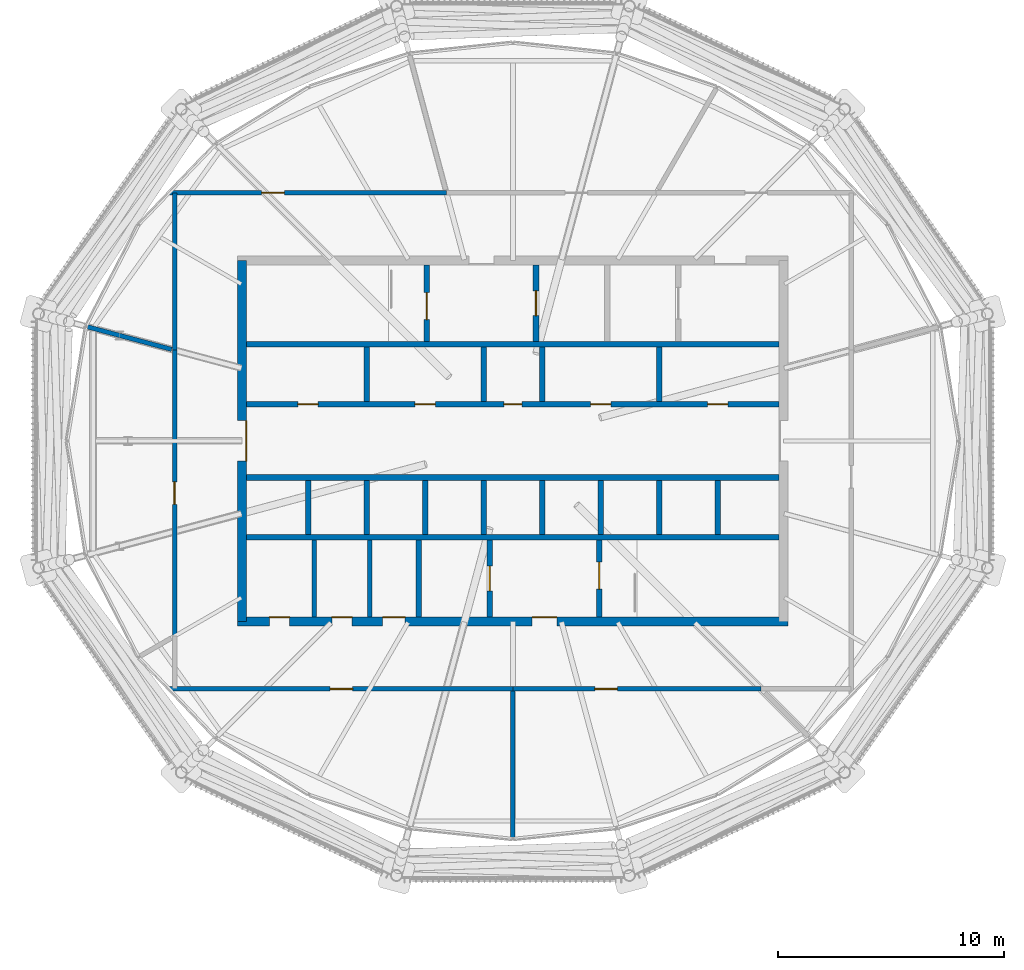
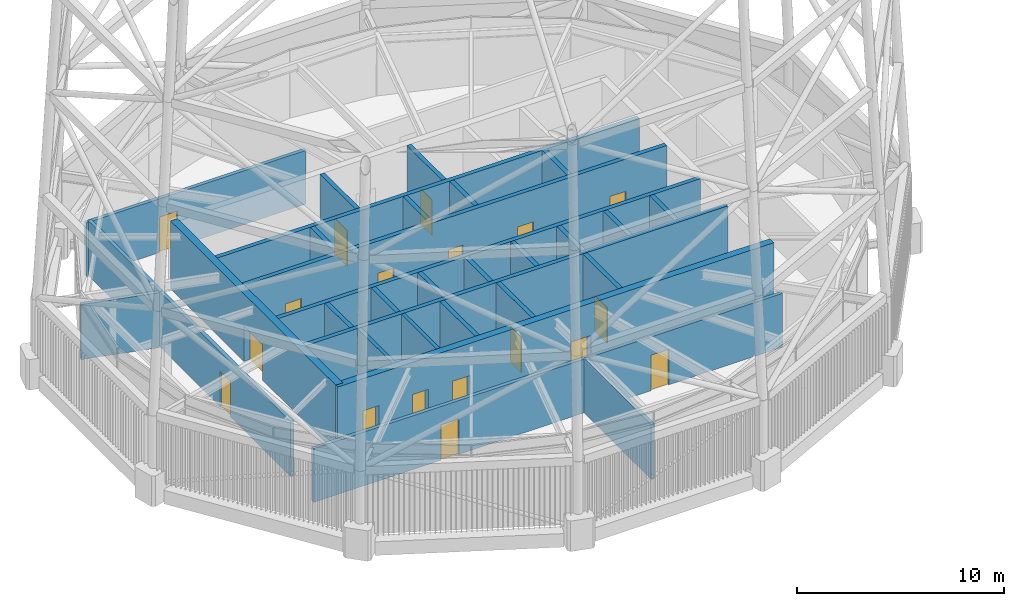
# One storey, part 63 of 71: 32 walls, 18 doors, 18 openings.
"""IFC4 building model written with IfcOpenShell, lengths in metres."""

from ifc_helpers import new_model, si_unit, direction, frame, frame_2d, origin, place, context, subcontext, project, spatial, rectangle, extrude, material, layer, layer_set, type_object, element, fill, save


model = new_model("IFC4")

# Units and contexts
model_context = context("Model", 3, precision=1e-05, world=origin(), true_north=direction((0.0, 1.0)))
body_context = subcontext(model_context, "Body", "Model", "MODEL_VIEW")
ifc_project = project(units=[si_unit("LENGTHUNIT", "METRE"), si_unit("AREAUNIT", "SQUARE_METRE"), si_unit("VOLUMEUNIT", "CUBIC_METRE"), si_unit("PLANEANGLEUNIT", "RADIAN"), si_unit("MASSUNIT", "GRAM", prefix="KILO")], contexts=[model_context])

# Site, building, storey
site_placement = place(None, origin())
site = spatial("IfcSite", under=ifc_project, at=site_placement, CompositionType="ELEMENT")
building_placement = place(site_placement, origin())
building = spatial("IfcBuilding", under=site, at=building_placement, Name="Rimbun Link Towers", CompositionType="ELEMENT")
storey_placement = place(building_placement, frame((0.0, 0.0, 267.60009765625)))
storey = spatial("IfcBuildingStorey", under=building, at=storey_placement, Name="L65", CompositionType="ELEMENT", Elevation=267.60009765625)

# Walls
ifc_material_1 = material(Name="Masonry blockwork", Category="masonry")
ifc_layer_1 = layer(ifc_material_1, 0.199951171875)
ifc_layer_set_1 = layer_set([ifc_layer_1], Name="Core partition 200")
wall_type_1 = type_object("IfcWallType", Name="Core partition 200", PredefinedType="PARTITIONING", material=ifc_layer_set_1)
for number, where, z_axis, x_axis, name in (
    (1, (-40.550048828125, -4.39990234375, 0.0), (0.0, 0.0, 1.0), (0.0, -1.0, 0.0), "L65 T1 core wall C1"),
    (2, (-38.10009765625, -4.39990234375, 0.0), (0.0, 0.0, 1.0), (0.0, -1.0, 0.0), "L65 T1 core wall C2"),
):
    element("IfcWall", number, at=place(storey_placement, frame(where, z_axis=z_axis, x_axis=x_axis)), inside=storey, type_object=wall_type_1, Name=name, PredefinedType="PARTITIONING", context=body_context, shape_type="SweptSolid", body=[
        extrude(rectangle(XDim=3.400146484375, YDim=0.199951171875, at=frame_2d((1.7001953125, 0.0))), origin(), (0.0, 0.0, 1.0), 4.0),
    ])

# Wall, openings, doors
ifc_material_2 = material(Name="Concrete C60/75", Category="concrete")
ifc_layer_2 = layer(ifc_material_2, 0.39990234375)
ifc_layer_set_2 = layer_set([ifc_layer_2], Name="Core shear wall 400")
wall_type_2 = type_object("IfcWallType", Name="Core shear wall 400", PredefinedType="SHEAR", material=ifc_layer_set_2)
wall_1_placement = place(storey_placement, frame((-43.949951171875, -8.0, 0.0), z_axis=(0.0, 0.0, 1.0), x_axis=(1.0, 0.0, 0.0)))
wall_1 = element("IfcWall", 3, at=wall_1_placement, inside=storey, type_object=wall_type_2, Name="L65 T1 core wall S", PredefinedType="SHEAR", context=body_context, shape_type="SweptSolid", body=[
    extrude(rectangle(XDim=24.39990234375, YDim=0.39990234375, at=frame_2d((12.199951171875, 0.0))), origin(), (0.0, 0.0, 1.0), 4.0),
])
opening_1_placement = place(wall_1_placement, frame((13.050048828125, 0.0, 0.0)))
opening_1 = element("IfcOpeningElement", 4, at=opening_1_placement, cuts=wall_1, Name="Opening C1DCF01S", PredefinedType="OPENING", context=body_context, shape_type="SweptSolid", body=[
    extrude(rectangle(XDim=1.10009765625, YDim=2.10009765625, at=frame_2d((0.550048828125, 1.050048828125))), frame((0.0, 0.2099609375, 0.0), z_axis=(0.0, -1.0, 0.0), x_axis=(1.0, 0.0, 0.0)), (0.0, 0.0, 1.0), 0.419921875),
])
opening_2_placement = place(wall_1_placement, frame((1.39990234375, 0.0, 0.0)))
opening_2 = element("IfcOpeningElement", 5, at=opening_2_placement, cuts=wall_1, Name="Opening C1DWC02S", PredefinedType="OPENING", context=body_context, shape_type="SweptSolid", body=[
    extrude(rectangle(XDim=0.89990234375, YDim=2.10009765625, at=frame_2d((0.449951171875, 1.050048828125))), frame((0.0, 0.2099609375, 0.0), z_axis=(0.0, -1.0, 0.0), x_axis=(1.0, 0.0, 0.0)), (0.0, 0.0, 1.0), 0.419921875),
])
opening_3_placement = place(wall_1_placement, frame((4.175048828125, 0.0, 0.0)))
opening_3 = element("IfcOpeningElement", 6, at=opening_3_placement, cuts=wall_1, Name="Opening C1DWC03S", PredefinedType="OPENING", context=body_context, shape_type="SweptSolid", body=[
    extrude(rectangle(XDim=0.89990234375, YDim=2.10009765625, at=frame_2d((0.449951171875, 1.050048828125))), frame((0.0, 0.2099609375, 0.0), z_axis=(0.0, -1.0, 0.0), x_axis=(1.0, 0.0, 0.0)), (0.0, 0.0, 1.0), 0.419921875),
])
opening_4_placement = place(wall_1_placement, frame((6.425048828125, 0.0, 0.0)))
opening_4 = element("IfcOpeningElement", 7, at=opening_4_placement, cuts=wall_1, Name="Opening C1DAW04S", PredefinedType="OPENING", context=body_context, shape_type="SweptSolid", body=[
    extrude(rectangle(XDim=1.0, YDim=2.10009765625, at=frame_2d((0.5, 1.050048828125))), frame((0.0, 0.2099609375, 0.0), z_axis=(0.0, -1.0, 0.0), x_axis=(1.0, 0.0, 0.0)), (0.0, 0.0, 1.0), 0.419921875),
])
ifc_material_3 = material(Name="Timber", Category="wood")
door_type_1 = type_object("IfcDoorType", Name="Accessible WC door", OperationType="SINGLE_SWING_LEFT", PredefinedType="DOOR", material=ifc_material_3)
door_1_placement = place(opening_4_placement, origin())
door_1 = element("IfcDoor", 8, at=door_1_placement, inside=storey, type_object=door_type_1, Name="L65 T1 accessible wc door", OperationType="SINGLE_SWING_RIGHT", OverallHeight=2.10009765625, OverallWidth=1.0, PredefinedType="DOOR", context=body_context, shape_type="SweptSolid", body=[
    extrude(rectangle(XDim=1.0, YDim=2.10009765625, at=frame_2d((0.5, 1.050048828125))), frame((0.0, 0.2001953125, 0.0), z_axis=(0.0, -1.0, 0.0), x_axis=(1.0, 0.0, 0.0)), (0.0, 0.0, 1.0), 0.050048828125),
])
fill(opening_4, door_1)
ifc_material_4 = material(Name="Steel fire door set", Category="steel")
door_type_2 = type_object("IfcDoorType", Name="Core fire door single", OperationType="SINGLE_SWING_LEFT", PredefinedType="DOOR", material=ifc_material_4)
door_2_placement = place(opening_1_placement, origin())
door_2 = element("IfcDoor", 9, at=door_2_placement, inside=storey, type_object=door_type_2, Name="L65 T1 firefighting lobby s door", OperationType="SINGLE_SWING_RIGHT", OverallHeight=2.10009765625, OverallWidth=1.10009765625, PredefinedType="DOOR", context=body_context, shape_type="SweptSolid", body=[
    extrude(rectangle(XDim=1.10009765625, YDim=2.10009765625, at=frame_2d((0.550048828125, 1.050048828125))), frame((0.0, 0.2001953125, 0.0), z_axis=(0.0, -1.0, 0.0), x_axis=(1.0, 0.0, 0.0)), (0.0, 0.0, 1.0), 0.050048828125),
])
fill(opening_1, door_2)
ifc_material_5 = material(Name="Timber", Category="wood")
door_type_3 = type_object("IfcDoorType", Name="WC door", OperationType="SINGLE_SWING_LEFT", PredefinedType="DOOR", material=ifc_material_5)
door_3_placement = place(opening_2_placement, origin())
door_3 = element("IfcDoor", 10, at=door_3_placement, inside=storey, type_object=door_type_3, Name="L65 T1 male wc door", OperationType="SINGLE_SWING_RIGHT", OverallHeight=2.10009765625, OverallWidth=0.89990234375, PredefinedType="DOOR", context=body_context, shape_type="SweptSolid", body=[
    extrude(rectangle(XDim=0.89990234375, YDim=2.10009765625, at=frame_2d((0.449951171875, 1.050048828125))), frame((0.0, 0.2001953125, 0.0), z_axis=(0.0, -1.0, 0.0), x_axis=(1.0, 0.0, 0.0)), (0.0, 0.0, 1.0), 0.050048828125),
])
fill(opening_2, door_3)
door_4_placement = place(opening_3_placement, origin())
door_4 = element("IfcDoor", 11, at=door_4_placement, inside=storey, type_object=door_type_3, Name="L65 T1 female wc door", OperationType="SINGLE_SWING_LEFT", OverallHeight=2.10009765625, OverallWidth=0.89990234375, PredefinedType="DOOR", context=body_context, shape_type="SweptSolid", body=[
    extrude(rectangle(XDim=0.89990234375, YDim=2.10009765625, at=frame_2d((0.449951171875, 1.050048828125))), frame((0.0, 0.2001953125, 0.0), z_axis=(0.0, -1.0, 0.0), x_axis=(1.0, 0.0, 0.0)), (0.0, 0.0, 1.0), 0.050048828125),
])
fill(opening_3, door_4)

# Wall, opening, door
wall_2_placement = place(storey_placement, frame((-43.75, -8.0, 0.0), z_axis=(0.0, 0.0, 1.0), x_axis=(0.0, 1.0, 0.0)))
wall_2 = element("IfcWall", 12, at=wall_2_placement, inside=storey, type_object=wall_type_2, Name="L65 T1 core wall W", PredefinedType="SHEAR", context=body_context, shape_type="SweptSolid", body=[
    extrude(rectangle(XDim=16.0, YDim=0.39990234375, at=frame_2d((8.0, 0.0))), origin(), (0.0, 0.0, 1.0), 4.0),
])
opening_5_placement = place(wall_2_placement, frame((7.10009765625, 0.0, 0.0)))
opening_5 = element("IfcOpeningElement", 13, at=opening_5_placement, cuts=wall_2, Name="Opening C1DCL01W", PredefinedType="OPENING", context=body_context, shape_type="SweptSolid", body=[
    extrude(rectangle(XDim=1.800048828125, YDim=2.10009765625, at=frame_2d((0.89990234375, 1.050048828125))), frame((0.0, 0.2099609375, 0.0), z_axis=(0.0, -1.0, 0.0), x_axis=(1.0, 0.0, 0.0)), (0.0, 0.0, 1.0), 0.419921875),
])
ifc_material_6 = material(Name="Steel fire door set", Category="steel")
door_type_4 = type_object("IfcDoorType", Name="Core lobby door double", OperationType="DOUBLE_DOOR_SINGLE_SWING", PredefinedType="DOOR", material=ifc_material_6)
door_5_placement = place(opening_5_placement, origin())
door_5 = element("IfcDoor", 14, at=door_5_placement, inside=storey, type_object=door_type_4, Name="L65 T1 lift lobby door", OperationType="DOUBLE_DOOR_SINGLE_SWING", OverallHeight=2.10009765625, OverallWidth=1.800048828125, PredefinedType="DOOR", context=body_context, shape_type="SweptSolid", body=[
    extrude(rectangle(XDim=1.800048828125, YDim=2.10009765625, at=frame_2d((0.89990234375, 1.050048828125))), frame((0.0, -0.14990234375, 0.0), z_axis=(0.0, -1.0, 0.0), x_axis=(1.0, 0.0, 0.0)), (0.0, 0.0, 1.0), 0.050048828125),
])
fill(opening_5, door_5)

ifc_material_7 = material(Name="Concrete blockwork", Category="masonry")
ifc_layer_3 = layer(ifc_material_7, 0.199951171875)
ifc_layer_set_3 = layer_set([ifc_layer_3], Name="Fire partition 200 blockwork")
wall_type_3 = type_object("IfcWallType", Name="Fire partition 200 blockwork", PredefinedType="PARTITIONING", material=ifc_layer_set_3)
wall_3_placement = place(storey_placement, frame((-46.963134765625, -11.0, 0.0), z_axis=(0.0, 0.0, 1.0), x_axis=(1.0, 0.0, 0.0)))
wall_3 = element("IfcWall", 15, at=wall_3_placement, inside=storey, type_object=wall_type_3, Name="TW/PW/L65/002", PredefinedType="PARTITIONING", context=body_context, shape_type="SweptSolid", body=[
    extrude(rectangle(XDim=15.213134765625, YDim=0.199951171875, at=frame_2d((7.6064453125, 0.0))), origin(), (0.0, 0.0, 1.0), 3.177001953125),
])
opening_6_placement = place(wall_3_placement, frame((7.10693359375, 0.0, 0.0)))
opening_6 = element("IfcOpeningElement", 16, at=opening_6_placement, cuts=wall_3, Name="Opening TW D65.01", PredefinedType="OPENING", context=body_context, shape_type="SweptSolid", body=[
    extrude(rectangle(XDim=1.0, YDim=2.10009765625, at=frame_2d((0.5, 1.050048828125))), frame((0.0, 0.10986328125, 0.0), z_axis=(0.0, -1.0, 0.0), x_axis=(1.0, 0.0, 0.0)), (0.0, 0.0, 1.0), 0.219970703125),
])
ifc_material_8 = material(Name="Steel fire door set", Category="steel")
door_type_5 = type_object("IfcDoorType", Name="Fire door single leaf 1000 x 2100", OperationType="NOTDEFINED", PredefinedType="DOOR", material=ifc_material_8)
door_6_placement = place(opening_6_placement, origin())
door_6 = element("IfcDoor", 17, at=door_6_placement, inside=storey, type_object=door_type_5, Name="TW/DR/L65/001", OperationType="SINGLE_SWING_RIGHT", OverallHeight=2.10009765625, OverallWidth=1.0, PredefinedType="DOOR", context=body_context, shape_type="SweptSolid", body=[
    extrude(rectangle(XDim=1.0, YDim=2.10009765625, at=frame_2d((0.5, 1.050048828125))), frame((0.0, 0.02490234375, 0.0), z_axis=(0.0, -1.0, 0.0), x_axis=(1.0, 0.0, 0.0)), (0.0, 0.0, 1.0), 0.050048828125),
])
fill(opening_6, door_6)

wall_4_placement = place(storey_placement, frame((-31.75, -11.0, 0.0), z_axis=(0.0, 0.0, 1.0), x_axis=(1.0, 0.0, 0.0)))
wall_4 = element("IfcWall", 18, at=wall_4_placement, inside=storey, type_object=wall_type_3, Name="TW/PW/L65/003", PredefinedType="PARTITIONING", context=body_context, shape_type="SweptSolid", body=[
    extrude(rectangle(XDim=11.0, YDim=0.199951171875, at=frame_2d((5.5, 0.0))), origin(), (0.0, 0.0, 1.0), 3.177001953125),
])
opening_7_placement = place(wall_4_placement, frame((3.635009765625, 0.0, 0.0)))
opening_7 = element("IfcOpeningElement", 19, at=opening_7_placement, cuts=wall_4, Name="Opening TW D65.02", PredefinedType="OPENING", context=body_context, shape_type="SweptSolid", body=[
    extrude(rectangle(XDim=1.0, YDim=2.10009765625, at=frame_2d((0.5, 1.050048828125))), frame((0.0, 0.10986328125, 0.0), z_axis=(0.0, -1.0, 0.0), x_axis=(1.0, 0.0, 0.0)), (0.0, 0.0, 1.0), 0.219970703125),
])
door_7_placement = place(opening_7_placement, origin())
door_7 = element("IfcDoor", 20, at=door_7_placement, inside=storey, type_object=door_type_5, Name="TW/DR/L65/002", OperationType="SINGLE_SWING_LEFT", OverallHeight=2.10009765625, OverallWidth=1.0, PredefinedType="DOOR", context=body_context, shape_type="SweptSolid", body=[
    extrude(rectangle(XDim=1.0, YDim=2.10009765625, at=frame_2d((0.5, 1.050048828125))), frame((0.0, 0.02490234375, 0.0), z_axis=(0.0, -1.0, 0.0), x_axis=(1.0, 0.0, 0.0)), (0.0, 0.0, 1.0), 0.050048828125),
])
fill(opening_7, door_7)

wall_5_placement = place(storey_placement, frame((-34.697509765625, 11.0, 0.0), z_axis=(0.0, 0.0, 1.0), x_axis=(-1.0, 0.0, 0.0)))
wall_5 = element("IfcWall", 21, at=wall_5_placement, inside=storey, type_object=wall_type_3, Name="TW/PW/L65/009", PredefinedType="PARTITIONING", context=body_context, shape_type="SweptSolid", body=[
    extrude(rectangle(XDim=12.265625, YDim=0.199951171875, at=frame_2d((6.1328125, 0.0))), origin(), (0.0, 0.0, 1.0), 3.177001953125),
])
opening_8_placement = place(wall_5_placement, frame((7.18798828125, 0.0, 0.0)))
opening_8 = element("IfcOpeningElement", 22, at=opening_8_placement, cuts=wall_5, Name="Opening TW D65.06", PredefinedType="OPENING", context=body_context, shape_type="SweptSolid", body=[
    extrude(rectangle(XDim=1.0, YDim=2.10009765625, at=frame_2d((0.5, 1.050048828125))), frame((0.0, 0.10986328125, 0.0), z_axis=(0.0, -1.0, 0.0), x_axis=(1.0, 0.0, 0.0)), (0.0, 0.0, 1.0), 0.219970703125),
])
door_8_placement = place(opening_8_placement, origin())
door_8 = element("IfcDoor", 23, at=door_8_placement, inside=storey, type_object=door_type_5, Name="TW/DR/L65/006", OperationType="SINGLE_SWING_LEFT", OverallHeight=2.10009765625, OverallWidth=1.0, PredefinedType="DOOR", context=body_context, shape_type="SweptSolid", body=[
    extrude(rectangle(XDim=1.0, YDim=2.10009765625, at=frame_2d((0.5, 1.050048828125))), frame((0.0, 0.02490234375, 0.0), z_axis=(0.0, -1.0, 0.0), x_axis=(1.0, 0.0, 0.0)), (0.0, 0.0, 1.0), 0.050048828125),
])
fill(opening_8, door_8)

# Wall
wall_6_placement = place(storey_placement, frame((-46.75, 10.978759765625, 0.0), z_axis=(0.0, 0.0, 1.0), x_axis=(0.0, -1.0, 0.0)))
element("IfcWall", 24, at=wall_6_placement, inside=storey, type_object=wall_type_3, Name="TW/PW/L65/010", PredefinedType="PARTITIONING", context=body_context, shape_type="SweptSolid", body=[
    extrude(rectangle(XDim=6.95947265625, YDim=0.199951171875, at=frame_2d((3.479736328125, 0.0))), origin(), (0.0, 0.0, 1.0), 3.246826171875),
])

# Wall, opening, door
wall_7_placement = place(storey_placement, frame((-46.75, 4.019287109375, 0.0), z_axis=(0.0, 0.0, 1.0), x_axis=(0.0, -1.0, 0.0)))
wall_7 = element("IfcWall", 25, at=wall_7_placement, inside=storey, type_object=wall_type_3, Name="TW/PW/L65/011", PredefinedType="PARTITIONING", context=body_context, shape_type="SweptSolid", body=[
    extrude(rectangle(XDim=12.6796875, YDim=0.199951171875, at=frame_2d((6.33984375, 0.0))), origin(), (0.0, 0.0, 1.0), 3.246826171875),
])
opening_9_placement = place(wall_7_placement, frame((5.840087890625, 0.0, 0.0)))
opening_9 = element("IfcOpeningElement", 26, at=opening_9_placement, cuts=wall_7, Name="Opening TW D65.07", PredefinedType="OPENING", context=body_context, shape_type="SweptSolid", body=[
    extrude(rectangle(XDim=1.0, YDim=2.10009765625, at=frame_2d((0.5, 1.050048828125))), frame((0.0, 0.10986328125, 0.0), z_axis=(0.0, -1.0, 0.0), x_axis=(1.0, 0.0, 0.0)), (0.0, 0.0, 1.0), 0.219970703125),
])
door_9_placement = place(opening_9_placement, origin())
door_9 = element("IfcDoor", 27, at=door_9_placement, inside=storey, type_object=door_type_5, Name="TW/DR/L65/007", OperationType="SINGLE_SWING_RIGHT", OverallHeight=2.10009765625, OverallWidth=1.0, PredefinedType="DOOR", context=body_context, shape_type="SweptSolid", body=[
    extrude(rectangle(XDim=1.0, YDim=2.10009765625, at=frame_2d((0.5, 1.050048828125))), frame((0.0, 0.02490234375, 0.0), z_axis=(0.0, -1.0, 0.0), x_axis=(1.0, 0.0, 0.0)), (0.0, 0.0, 1.0), 0.050048828125),
])
fill(opening_9, door_9)

# Walls
wall_8_placement = place(storey_placement, frame((-31.75, -17.5751953125, 0.0), z_axis=(0.0, 0.0, 1.0), x_axis=(0.0, 1.0, 0.0)))
element("IfcWall", 28, at=wall_8_placement, inside=storey, type_object=wall_type_3, Name="TW/PW/L65/012", PredefinedType="PARTITIONING", context=body_context, shape_type="SweptSolid", body=[
    extrude(rectangle(XDim=6.47509765625, YDim=0.199951171875, at=frame_2d((3.237548828125, 0.0))), origin(), (0.0, 0.0, 1.0), 3.246826171875),
])
wall_9_placement = place(storey_placement, frame((-50.680908203125, 5.072509765625, 0.0), z_axis=(0.0, 0.0, 1.0), x_axis=(0.965925642897, -0.258819729531, 0.0)))
element("IfcWall", 29, at=wall_9_placement, inside=storey, type_object=wall_type_3, Name="TW/PW/L65/018", PredefinedType="PARTITIONING", context=body_context, shape_type="SweptSolid", body=[
    extrude(rectangle(XDim=3.939208984375, YDim=0.199951171875, at=frame_2d((1.9697265625, 0.0))), origin(), (0.0, 0.0, 1.0), 3.246826171875),
])
ifc_material_9 = material(Name="Concrete C60/75", Category="concrete")
ifc_layer_4 = layer(ifc_material_9, 0.25)
ifc_layer_set_4 = layer_set([ifc_layer_4], Name="Shaft wall 250")
wall_type_4 = type_object("IfcWallType", Name="Shaft wall 250", PredefinedType="SHEAR", material=ifc_layer_set_4)
for number, where, z_axis, x_axis, name in (
    (30, (-43.550048828125, 4.27490234375, 0.0), (0.0, 0.0, 1.0), (1.0, 0.0, 0.0), "L65 T1 core wall BN"),
    (31, (-43.550048828125, -4.27490234375, 0.0), (0.0, 0.0, 1.0), (1.0, 0.0, 0.0), "L65 T1 core wall BS"),
):
    element("IfcWall", number, at=place(storey_placement, frame(where, z_axis=z_axis, x_axis=x_axis)), inside=storey, type_object=wall_type_4, Name=name, PredefinedType="SHEAR", context=body_context, shape_type="SweptSolid", body=[
        extrude(rectangle(XDim=23.60009765625, YDim=0.25, at=frame_2d((11.800048828125, 0.0))), origin(), (0.0, 0.0, 1.0), 4.0),
    ])

# Wall, openings, doors
wall_10_placement = place(storey_placement, frame((-43.550048828125, 1.625, 0.0), z_axis=(0.0, 0.0, 1.0), x_axis=(1.0, 0.0, 0.0)))
wall_10 = element("IfcWall", 32, at=wall_10_placement, inside=storey, type_object=wall_type_4, Name="L65 T1 core wall FN", PredefinedType="SHEAR", context=body_context, shape_type="SweptSolid", body=[
    extrude(rectangle(XDim=23.60009765625, YDim=0.25, at=frame_2d((11.800048828125, 0.0))), origin(), (0.0, 0.0, 1.0), 4.0),
])
opening_10_placement = place(wall_10_placement, frame((2.269287109375, 0.0, 0.0)))
opening_10 = element("IfcOpeningElement", 33, at=opening_10_placement, cuts=wall_10, Name="Opening C1DRS01FN", PredefinedType="OPENING", context=body_context, shape_type="SweptSolid", body=[
    extrude(rectangle(XDim=0.89990234375, YDim=2.10009765625, at=frame_2d((0.449951171875, 1.050048828125))), frame((0.0, 0.135009765625, 0.0), z_axis=(0.0, -1.0, 0.0), x_axis=(1.0, 0.0, 0.0)), (0.0, 0.0, 1.0), 0.27001953125),
])
opening_11_placement = place(wall_10_placement, frame((7.458251953125, 0.0, 0.0)))
opening_11 = element("IfcOpeningElement", 34, at=opening_11_placement, cuts=wall_10, Name="Opening C1DRS02FN", PredefinedType="OPENING", context=body_context, shape_type="SweptSolid", body=[
    extrude(rectangle(XDim=0.89990234375, YDim=2.10009765625, at=frame_2d((0.449951171875, 1.050048828125))), frame((0.0, 0.135009765625, 0.0), z_axis=(0.0, -1.0, 0.0), x_axis=(1.0, 0.0, 0.0)), (0.0, 0.0, 1.0), 0.27001953125),
])
opening_12_placement = place(wall_10_placement, frame((11.39990234375, 0.0, 0.0)))
opening_12 = element("IfcOpeningElement", 35, at=opening_12_placement, cuts=wall_10, Name="Opening C1DRA03FN", PredefinedType="OPENING", context=body_context, shape_type="SweptSolid", body=[
    extrude(rectangle(XDim=0.800048828125, YDim=2.10009765625, at=frame_2d((0.39990234375, 1.050048828125))), frame((0.0, 0.135009765625, 0.0), z_axis=(0.0, -1.0, 0.0), x_axis=(1.0, 0.0, 0.0)), (0.0, 0.0, 1.0), 0.27001953125),
])
opening_13_placement = place(wall_10_placement, frame((15.24169921875, 0.0, 0.0)))
opening_13 = element("IfcOpeningElement", 36, at=opening_13_placement, cuts=wall_10, Name="Opening C1DRS04FN", PredefinedType="OPENING", context=body_context, shape_type="SweptSolid", body=[
    extrude(rectangle(XDim=0.89990234375, YDim=2.10009765625, at=frame_2d((0.449951171875, 1.050048828125))), frame((0.0, 0.135009765625, 0.0), z_axis=(0.0, -1.0, 0.0), x_axis=(1.0, 0.0, 0.0)), (0.0, 0.0, 1.0), 0.27001953125),
])
opening_14_placement = place(wall_10_placement, frame((20.4306640625, 0.0, 0.0)))
opening_14 = element("IfcOpeningElement", 37, at=opening_14_placement, cuts=wall_10, Name="Opening C1DRS05FN", PredefinedType="OPENING", context=body_context, shape_type="SweptSolid", body=[
    extrude(rectangle(XDim=0.89990234375, YDim=2.10009765625, at=frame_2d((0.449951171875, 1.050048828125))), frame((0.0, 0.135009765625, 0.0), z_axis=(0.0, -1.0, 0.0), x_axis=(1.0, 0.0, 0.0)), (0.0, 0.0, 1.0), 0.27001953125),
])
ifc_material_10 = material(Name="Steel fire door set", Category="steel")
door_type_6 = type_object("IfcDoorType", Name="Core riser door", OperationType="SINGLE_SWING_LEFT", PredefinedType="DOOR", material=ifc_material_10)
door_10_placement = place(opening_10_placement, origin())
door_10 = element("IfcDoor", 38, at=door_10_placement, inside=storey, type_object=door_type_6, Name="L65 T1 staff lounge door", OperationType="SINGLE_SWING_LEFT", OverallHeight=2.10009765625, OverallWidth=0.89990234375, PredefinedType="DOOR", context=body_context, shape_type="SweptSolid", body=[
    extrude(rectangle(XDim=0.89990234375, YDim=2.10009765625, at=frame_2d((0.449951171875, 1.050048828125))), frame((0.0, 0.02490234375, 0.0), z_axis=(0.0, -1.0, 0.0), x_axis=(1.0, 0.0, 0.0)), (0.0, 0.0, 1.0), 0.050048828125),
])
fill(opening_10, door_10)
door_11_placement = place(opening_11_placement, origin())
door_11 = element("IfcDoor", 39, at=door_11_placement, inside=storey, type_object=door_type_6, Name="L65 T1 phone room door", OperationType="SINGLE_SWING_RIGHT", OverallHeight=2.10009765625, OverallWidth=0.89990234375, PredefinedType="DOOR", context=body_context, shape_type="SweptSolid", body=[
    extrude(rectangle(XDim=0.89990234375, YDim=2.10009765625, at=frame_2d((0.449951171875, 1.050048828125))), frame((0.0, 0.02490234375, 0.0), z_axis=(0.0, -1.0, 0.0), x_axis=(1.0, 0.0, 0.0)), (0.0, 0.0, 1.0), 0.050048828125),
])
fill(opening_11, door_11)
door_12_placement = place(opening_13_placement, origin())
door_12 = element("IfcDoor", 40, at=door_12_placement, inside=storey, type_object=door_type_6, Name="L65 T1 print room door", OperationType="SINGLE_SWING_LEFT", OverallHeight=2.10009765625, OverallWidth=0.89990234375, PredefinedType="DOOR", context=body_context, shape_type="SweptSolid", body=[
    extrude(rectangle(XDim=0.89990234375, YDim=2.10009765625, at=frame_2d((0.449951171875, 1.050048828125))), frame((0.0, 0.02490234375, 0.0), z_axis=(0.0, -1.0, 0.0), x_axis=(1.0, 0.0, 0.0)), (0.0, 0.0, 1.0), 0.050048828125),
])
fill(opening_13, door_12)
door_13_placement = place(opening_14_placement, origin())
door_13 = element("IfcDoor", 41, at=door_13_placement, inside=storey, type_object=door_type_6, Name="L65 T1 staff lounge door", OperationType="SINGLE_SWING_LEFT", OverallHeight=2.10009765625, OverallWidth=0.89990234375, PredefinedType="DOOR", context=body_context, shape_type="SweptSolid", body=[
    extrude(rectangle(XDim=0.89990234375, YDim=2.10009765625, at=frame_2d((0.449951171875, 1.050048828125))), frame((0.0, 0.02490234375, 0.0), z_axis=(0.0, -1.0, 0.0), x_axis=(1.0, 0.0, 0.0)), (0.0, 0.0, 1.0), 0.050048828125),
])
fill(opening_14, door_13)
ifc_material_11 = material(Name="Steel fire door set", Category="steel")
door_type_7 = type_object("IfcDoorType", Name="Riser access door 800 x 2100", OperationType="SINGLE_SWING_LEFT", PredefinedType="DOOR", material=ifc_material_11)
door_14_placement = place(opening_12_placement, origin())
door_14 = element("IfcDoor", 42, at=door_14_placement, inside=storey, type_object=door_type_7, Name="L65 T1 communications room door", OperationType="SINGLE_SWING_LEFT", OverallHeight=2.10009765625, OverallWidth=0.800048828125, PredefinedType="DOOR", context=body_context, shape_type="SweptSolid", body=[
    extrude(rectangle(XDim=0.800048828125, YDim=2.10009765625, at=frame_2d((0.39990234375, 1.050048828125))), frame((0.0, 0.02490234375, 0.0), z_axis=(0.0, -1.0, 0.0), x_axis=(1.0, 0.0, 0.0)), (0.0, 0.0, 1.0), 0.050048828125),
])
fill(opening_12, door_14)

# Walls
wall_11_placement = place(storey_placement, frame((-43.550048828125, -1.625, 0.0), z_axis=(0.0, 0.0, 1.0), x_axis=(1.0, 0.0, 0.0)))
element("IfcWall", 43, at=wall_11_placement, inside=storey, type_object=wall_type_4, Name="L65 T1 core wall FS", PredefinedType="SHEAR", context=body_context, shape_type="SweptSolid", body=[
    extrude(rectangle(XDim=23.60009765625, YDim=0.25, at=frame_2d((11.800048828125, 0.0))), origin(), (0.0, 0.0, 1.0), 4.0),
])
for number, where, z_axis, x_axis, name in (
    (44, (-38.236083984375, 1.75, 0.0), (0.0, 0.0, 1.0), (0.0, 1.0, 0.0), "L65 T1 core wall DN1"),
    (45, (-33.047119140625, 1.75, 0.0), (0.0, 0.0, 1.0), (0.0, 1.0, 0.0), "L65 T1 core wall DN3"),
    (46, (-30.452880859375, 1.75, 0.0), (0.0, 0.0, 1.0), (0.0, 1.0, 0.0), "L65 T1 core wall DN4"),
    (47, (-25.263916015625, 1.75, 0.0), (0.0, 0.0, 1.0), (0.0, 1.0, 0.0), "L65 T1 core wall DN6"),
    (48, (-40.83056640625, -4.14990234375, 0.0), (0.0, 0.0, 1.0), (0.0, 1.0, 0.0), "L65 T1 core wall DS0"),
    (49, (-38.236083984375, -4.14990234375, 0.0), (0.0, 0.0, 1.0), (0.0, 1.0, 0.0), "L65 T1 core wall DS1"),
    (50, (-35.6416015625, -4.14990234375, 0.0), (0.0, 0.0, 1.0), (0.0, 1.0, 0.0), "L65 T1 core wall DS2"),
    (51, (-33.047119140625, -4.14990234375, 0.0), (0.0, 0.0, 1.0), (0.0, 1.0, 0.0), "L65 T1 core wall DS3"),
    (52, (-30.452880859375, -4.14990234375, 0.0), (0.0, 0.0, 1.0), (0.0, 1.0, 0.0), "L65 T1 core wall DS4"),
    (53, (-27.8583984375, -4.14990234375, 0.0), (0.0, 0.0, 1.0), (0.0, 1.0, 0.0), "L65 T1 core wall DS5"),
    (54, (-25.263916015625, -4.14990234375, 0.0), (0.0, 0.0, 1.0), (0.0, 1.0, 0.0), "L65 T1 core wall DS6"),
    (55, (-22.66943359375, -4.14990234375, 0.0), (0.0, 0.0, 1.0), (0.0, 1.0, 0.0), "L65 T1 core wall DS7"),
):
    element("IfcWall", number, at=place(storey_placement, frame(where, z_axis=z_axis, x_axis=x_axis)), inside=storey, type_object=wall_type_4, Name=name, PredefinedType="SHEAR", context=body_context, shape_type="SweptSolid", body=[
        extrude(rectangle(XDim=2.39990234375, YDim=0.25, at=frame_2d((1.199951171875, 0.0))), origin(), (0.0, 0.0, 1.0), 4.0),
    ])

# Wall, opening, door
wall_12_placement = place(storey_placement, frame((-35.574951171875, 4.39990234375, 0.0), z_axis=(0.0, 0.0, 1.0), x_axis=(0.0, 1.0, 0.0)))
wall_12 = element("IfcWall", 56, at=wall_12_placement, inside=storey, type_object=wall_type_4, Name="L65 T1 core wall A1", PredefinedType="SHEAR", context=body_context, shape_type="SweptSolid", body=[
    extrude(rectangle(XDim=3.400146484375, YDim=0.25, at=frame_2d((1.7001953125, 0.0))), origin(), (0.0, 0.0, 1.0), 4.0),
])
opening_15_placement = place(wall_12_placement, frame((0.97509765625, 0.0, 0.0)))
opening_15 = element("IfcOpeningElement", 57, at=opening_15_placement, cuts=wall_12, Name="Opening C1DST01A1", PredefinedType="OPENING", context=body_context, shape_type="SweptSolid", body=[
    extrude(rectangle(XDim=1.199951171875, YDim=2.10009765625, at=frame_2d((0.60009765625, 1.050048828125))), frame((0.0, 0.135009765625, 0.0), z_axis=(0.0, -1.0, 0.0), x_axis=(1.0, 0.0, 0.0)), (0.0, 0.0, 1.0), 0.27001953125),
])
ifc_material_12 = material(Name="Steel fire door set", Category="steel")
door_type_8 = type_object("IfcDoorType", Name="Stair door", OperationType="SINGLE_SWING_LEFT", PredefinedType="DOOR", material=ifc_material_12)
door_15_placement = place(opening_15_placement, origin())
door_15 = element("IfcDoor", 58, at=door_15_placement, inside=storey, type_object=door_type_8, Name="L65 T1 stair a door", OperationType="SINGLE_SWING_RIGHT", OverallHeight=2.10009765625, OverallWidth=1.199951171875, PredefinedType="DOOR", context=body_context, shape_type="SweptSolid", body=[
    extrude(rectangle(XDim=1.199951171875, YDim=2.10009765625, at=frame_2d((0.60009765625, 1.050048828125))), frame((0.0, 0.02490234375, 0.0), z_axis=(0.0, -1.0, 0.0), x_axis=(1.0, 0.0, 0.0)), (0.0, 0.0, 1.0), 0.050048828125),
])
fill(opening_15, door_15)

wall_13_placement = place(storey_placement, frame((-30.72509765625, 4.39990234375, 0.0), z_axis=(0.0, 0.0, 1.0), x_axis=(0.0, 1.0, 0.0)))
wall_13 = element("IfcWall", 59, at=wall_13_placement, inside=storey, type_object=wall_type_4, Name="L65 T1 core wall A2", PredefinedType="SHEAR", context=body_context, shape_type="SweptSolid", body=[
    extrude(rectangle(XDim=3.400146484375, YDim=0.25, at=frame_2d((1.7001953125, 0.0))), origin(), (0.0, 0.0, 1.0), 4.0),
])
opening_16_placement = place(wall_13_placement, frame((1.14990234375, 0.0, 0.0)))
opening_16 = element("IfcOpeningElement", 60, at=opening_16_placement, cuts=wall_13, Name="Opening LD-T1-FF1", PredefinedType="OPENING", context=body_context, shape_type="SweptSolid", body=[
    extrude(rectangle(XDim=1.10009765625, YDim=2.10009765625, at=frame_2d((0.550048828125, 1.050048828125))), frame((0.0, 0.135009765625, 0.0), z_axis=(0.0, -1.0, 0.0), x_axis=(1.0, 0.0, 0.0)), (0.0, 0.0, 1.0), 0.27001953125),
])
ifc_material_13 = material(Name="Stainless steel grade 316", Category="steel")
door_type_9 = type_object("IfcDoorType", Name="Lift landing door", OperationType="DOUBLE_DOOR_SLIDING", PredefinedType="DOOR", material=ifc_material_13)
door_16_placement = place(opening_16_placement, origin())
door_16 = element("IfcDoor", 61, at=door_16_placement, inside=storey, type_object=door_type_9, Name="L65 T1 lift FF1 landing door", OperationType="DOUBLE_DOOR_SLIDING", OverallHeight=2.10009765625, OverallWidth=1.10009765625, PredefinedType="DOOR", context=body_context, shape_type="SweptSolid", body=[
    extrude(rectangle(XDim=1.10009765625, YDim=2.10009765625, at=frame_2d((0.550048828125, 1.050048828125))), frame((0.0, 0.02490234375, 0.0), z_axis=(0.0, -1.0, 0.0), x_axis=(1.0, 0.0, 0.0)), (0.0, 0.0, 1.0), 0.050048828125),
])
fill(opening_16, door_16)

wall_14_placement = place(storey_placement, frame((-27.925048828125, -4.39990234375, 0.0), z_axis=(0.0, 0.0, 1.0), x_axis=(0.0, -1.0, 0.0)))
wall_14 = element("IfcWall", 62, at=wall_14_placement, inside=storey, type_object=wall_type_4, Name="L65 T1 core wall B1", PredefinedType="SHEAR", context=body_context, shape_type="SweptSolid", body=[
    extrude(rectangle(XDim=3.400146484375, YDim=0.25, at=frame_2d((1.7001953125, 0.0))), origin(), (0.0, 0.0, 1.0), 4.0),
])
opening_17_placement = place(wall_14_placement, frame((0.97509765625, 0.0, 0.0)))
opening_17 = element("IfcOpeningElement", 63, at=opening_17_placement, cuts=wall_14, Name="Opening C1DST01B1", PredefinedType="OPENING", context=body_context, shape_type="SweptSolid", body=[
    extrude(rectangle(XDim=1.199951171875, YDim=2.10009765625, at=frame_2d((0.60009765625, 1.050048828125))), frame((0.0, 0.135009765625, 0.0), z_axis=(0.0, -1.0, 0.0), x_axis=(1.0, 0.0, 0.0)), (0.0, 0.0, 1.0), 0.27001953125),
])
door_17_placement = place(opening_17_placement, origin())
door_17 = element("IfcDoor", 64, at=door_17_placement, inside=storey, type_object=door_type_8, Name="L65 T1 stair b door", OperationType="SINGLE_SWING_RIGHT", OverallHeight=2.10009765625, OverallWidth=1.199951171875, PredefinedType="DOOR", context=body_context, shape_type="SweptSolid", body=[
    extrude(rectangle(XDim=1.199951171875, YDim=2.10009765625, at=frame_2d((0.60009765625, 1.050048828125))), frame((0.0, 0.02490234375, 0.0), z_axis=(0.0, -1.0, 0.0), x_axis=(1.0, 0.0, 0.0)), (0.0, 0.0, 1.0), 0.050048828125),
])
fill(opening_17, door_17)

wall_15_placement = place(storey_placement, frame((-32.77490234375, -4.39990234375, 0.0), z_axis=(0.0, 0.0, 1.0), x_axis=(0.0, -1.0, 0.0)))
wall_15 = element("IfcWall", 65, at=wall_15_placement, inside=storey, type_object=wall_type_4, Name="L65 T1 core wall B2", PredefinedType="SHEAR", context=body_context, shape_type="SweptSolid", body=[
    extrude(rectangle(XDim=3.400146484375, YDim=0.25, at=frame_2d((1.7001953125, 0.0))), origin(), (0.0, 0.0, 1.0), 4.0),
])
opening_18_placement = place(wall_15_placement, frame((1.14990234375, 0.0, 0.0)))
opening_18 = element("IfcOpeningElement", 66, at=opening_18_placement, cuts=wall_15, Name="Opening LD-T1-FF2", PredefinedType="OPENING", context=body_context, shape_type="SweptSolid", body=[
    extrude(rectangle(XDim=1.10009765625, YDim=2.10009765625, at=frame_2d((0.550048828125, 1.050048828125))), frame((0.0, 0.135009765625, 0.0), z_axis=(0.0, -1.0, 0.0), x_axis=(1.0, 0.0, 0.0)), (0.0, 0.0, 1.0), 0.27001953125),
])
door_18_placement = place(opening_18_placement, origin())
door_18 = element("IfcDoor", 67, at=door_18_placement, inside=storey, type_object=door_type_9, Name="L65 T1 lift FF2 landing door", OperationType="DOUBLE_DOOR_SLIDING", OverallHeight=2.10009765625, OverallWidth=1.10009765625, PredefinedType="DOOR", context=body_context, shape_type="SweptSolid", body=[
    extrude(rectangle(XDim=1.10009765625, YDim=2.10009765625, at=frame_2d((0.550048828125, 1.050048828125))), frame((0.0, 0.02490234375, 0.0), z_axis=(0.0, -1.0, 0.0), x_axis=(1.0, 0.0, 0.0)), (0.0, 0.0, 1.0), 0.050048828125),
])
fill(opening_18, door_18)

# Wall
wall_16_placement = place(storey_placement, frame((-35.925048828125, -4.39990234375, 0.0), z_axis=(0.0, 0.0, 1.0), x_axis=(0.0, -1.0, 0.0)))
element("IfcWall", 68, at=wall_16_placement, inside=storey, type_object=wall_type_4, Name="L65 T1 core wall B3", PredefinedType="SHEAR", context=body_context, shape_type="SweptSolid", body=[
    extrude(rectangle(XDim=3.400146484375, YDim=0.25, at=frame_2d((1.7001953125, 0.0))), origin(), (0.0, 0.0, 1.0), 4.0),
])

save(model, "model.ifc")
